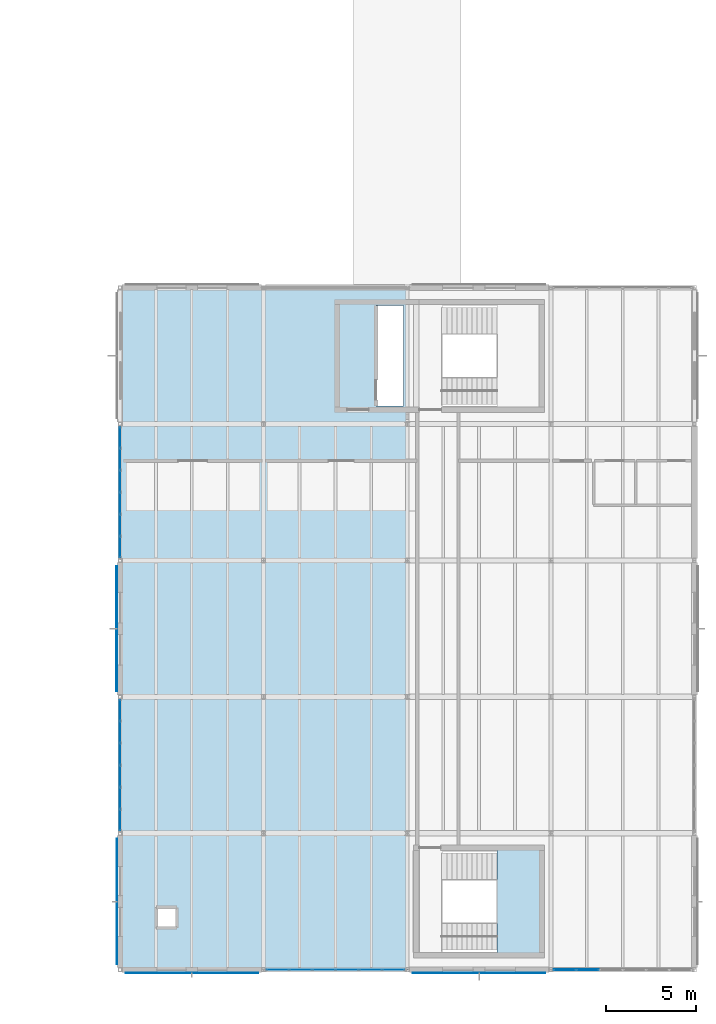
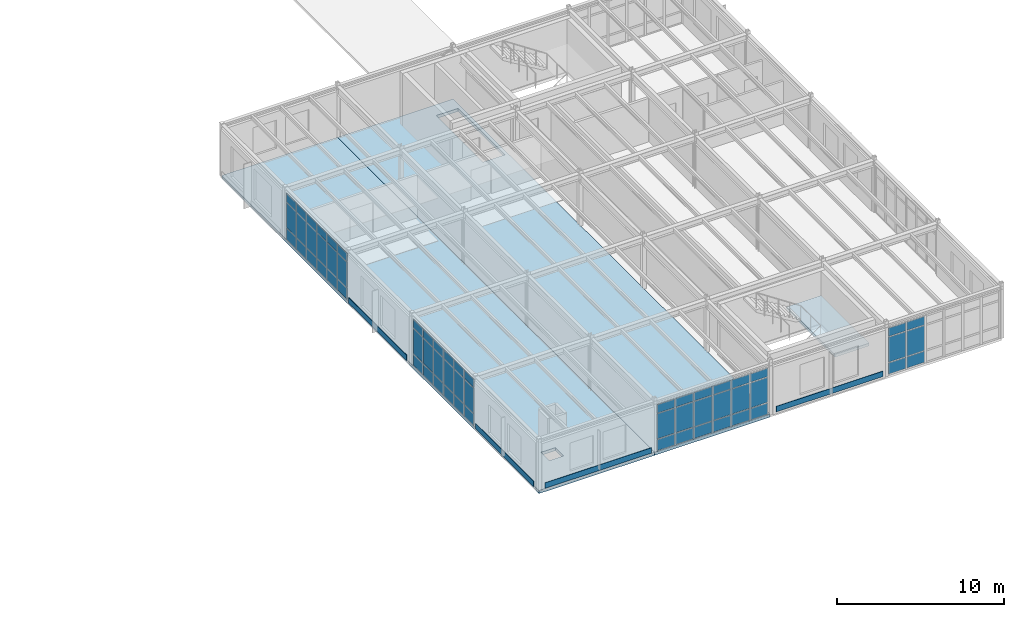
# One storey, part 75 of 114: 64 plates, 3 slabs, 5 elements without a shape of their own.
"""IFC4 building model written with IfcOpenShell, lengths in metres."""

from ifc_helpers import new_model, si_unit, direction, frame, origin, origin_2d, place, context, subcontext, project, spatial, polyline, rectangle, outline, extrude, material, layer, layer_set, type_object, element, aggregate, save


model = new_model("IFC4")

# Units and contexts
model_context = context("Model", 3, precision=1e-05, world=origin(), true_north=direction((0.0, 1.0)))
body_context = subcontext(model_context, "Body", "Model", "MODEL_VIEW")
ifc_project = project(units=[si_unit("LENGTHUNIT", "METRE"), si_unit("AREAUNIT", "SQUARE_METRE"), si_unit("VOLUMEUNIT", "CUBIC_METRE"), si_unit("PLANEANGLEUNIT", "RADIAN"), si_unit("MASSUNIT", "GRAM", prefix="KILO")], contexts=[model_context])

# Site, building, storey
site_placement = place(None, origin())
site = spatial("IfcSite", under=ifc_project, at=site_placement, CompositionType="ELEMENT")
building_placement = place(site_placement, origin())
building = spatial("IfcBuilding", under=site, at=building_placement, Name="Montecoro Central Library", CompositionType="ELEMENT")
storey_placement = place(building_placement, frame((0.0, 0.0, 13.260009765625)))
storey = spatial("IfcBuildingStorey", under=building, at=storey_placement, Name="L03", CompositionType="ELEMENT", Elevation=13.260009765625)

# Curtain wall, plates
ifc_material_1 = material(Name="Bronze-anodised aluminium and low-E glazing", Category="aluminium")
ifc_layer_1 = layer(ifc_material_1, 0.159912109375)
ifc_layer_set_1 = layer_set([ifc_layer_1], Name="Bronze-anodised aluminium and low-E glazing")
curtain_wall_type_1 = type_object("IfcCurtainWallType", Name="CWT-068", PredefinedType="NOTDEFINED", material=ifc_layer_set_1)
curtain_wall_1_placement = place(storey_placement, origin())
curtain_wall_1 = element("IfcCurtainWall", 1, at=curtain_wall_1_placement, inside=storey, type_object=curtain_wall_type_1, Name="V6-L03-CW-S1", PredefinedType="NOTDEFINED")
ifc_material_2 = material(Name="Laminated low-E double glazing", Category="glass")
ifc_layer_2 = layer(ifc_material_2, 0.02587890625)
ifc_layer_set_2 = layer_set([ifc_layer_2], Name="Laminated low-E double glazing")
plate_type_1 = type_object("IfcPlateType", Name="CWP-GLZ-01", PredefinedType="CURTAIN_PANEL", material=ifc_layer_set_2)
plate_1_placement = place(storey_placement, frame((149.77587890625, 5.0, 0.06005859375), z_axis=(0.0, 0.0, 1.0), x_axis=(1.0, 0.0, 0.0)))
plate_1 = element("IfcPlate", 2, at=plate_1_placement, type_object=plate_type_1, Name="CW-068 panel 1.1", PredefinedType="CURTAIN_PANEL", context=body_context, shape_type="SweptSolid", body=[
    extrude(rectangle(XDim=1.20556640625, YDim=0.02587890625, at=origin_2d()), origin(), (0.0, 0.0, 1.0), 0.81005859375),
])
plate_2_placement = place(storey_placement, frame((149.77587890625, 5.0, 0.93017578125), z_axis=(0.0, 0.0, 1.0), x_axis=(1.0, 0.0, 0.0)))
plate_2 = element("IfcPlate", 3, at=plate_2_placement, type_object=plate_type_1, Name="CW-068 panel 1.2", PredefinedType="CURTAIN_PANEL", context=body_context, shape_type="SweptSolid", body=[
    extrude(rectangle(XDim=1.20556640625, YDim=0.02587890625, at=origin_2d()), origin(), (0.0, 0.0, 1.0), 1.820068359375),
])
plate_3_placement = place(storey_placement, frame((149.77587890625, 5.0, 2.81005859375), z_axis=(0.0, 0.0, 1.0), x_axis=(1.0, 0.0, 0.0)))
plate_3 = element("IfcPlate", 4, at=plate_3_placement, type_object=plate_type_1, Name="CW-068 panel 1.3", PredefinedType="CURTAIN_PANEL", context=body_context, shape_type="SweptSolid", body=[
    extrude(rectangle(XDim=1.20556640625, YDim=0.02587890625, at=origin_2d()), origin(), (0.0, 0.0, 1.0), 0.610107421875),
])
plate_4_placement = place(storey_placement, frame((151.056396484375, 5.0, 0.06005859375), z_axis=(0.0, 0.0, 1.0), x_axis=(1.0, 0.0, 0.0)))
plate_4 = element("IfcPlate", 5, at=plate_4_placement, type_object=plate_type_1, Name="CW-068 panel 2.1", PredefinedType="CURTAIN_PANEL", context=body_context, shape_type="SweptSolid", body=[
    extrude(rectangle(XDim=1.235595703125, YDim=0.02587890625, at=origin_2d()), origin(), (0.0, 0.0, 1.0), 0.81005859375),
])
plate_5_placement = place(storey_placement, frame((151.056396484375, 5.0, 0.93017578125), z_axis=(0.0, 0.0, 1.0), x_axis=(1.0, 0.0, 0.0)))
plate_5 = element("IfcPlate", 6, at=plate_5_placement, type_object=plate_type_1, Name="CW-068 panel 2.2", PredefinedType="CURTAIN_PANEL", context=body_context, shape_type="SweptSolid", body=[
    extrude(rectangle(XDim=1.235595703125, YDim=0.02587890625, at=origin_2d()), origin(), (0.0, 0.0, 1.0), 1.820068359375),
])
plate_6_placement = place(storey_placement, frame((151.056396484375, 5.0, 2.81005859375), z_axis=(0.0, 0.0, 1.0), x_axis=(1.0, 0.0, 0.0)))
plate_6 = element("IfcPlate", 7, at=plate_6_placement, type_object=plate_type_1, Name="CW-068 panel 2.3", PredefinedType="CURTAIN_PANEL", context=body_context, shape_type="SweptSolid", body=[
    extrude(rectangle(XDim=1.235595703125, YDim=0.02587890625, at=origin_2d()), origin(), (0.0, 0.0, 1.0), 0.610107421875),
])
plate_7_placement = place(storey_placement, frame((152.35205078125, 5.0, 0.06005859375), z_axis=(0.0, 0.0, 1.0), x_axis=(1.0, 0.0, 0.0)))
plate_7 = element("IfcPlate", 8, at=plate_7_placement, type_object=plate_type_1, Name="CW-068 panel 3.1", PredefinedType="CURTAIN_PANEL", context=body_context, shape_type="SweptSolid", body=[
    extrude(rectangle(XDim=1.235595703125, YDim=0.02587890625, at=origin_2d()), origin(), (0.0, 0.0, 1.0), 0.81005859375),
])
plate_8_placement = place(storey_placement, frame((152.35205078125, 5.0, 0.93017578125), z_axis=(0.0, 0.0, 1.0), x_axis=(1.0, 0.0, 0.0)))
plate_8 = element("IfcPlate", 9, at=plate_8_placement, type_object=plate_type_1, Name="CW-068 panel 3.2", PredefinedType="CURTAIN_PANEL", context=body_context, shape_type="SweptSolid", body=[
    extrude(rectangle(XDim=1.235595703125, YDim=0.02587890625, at=origin_2d()), origin(), (0.0, 0.0, 1.0), 1.820068359375),
])
plate_9_placement = place(storey_placement, frame((152.35205078125, 5.0, 2.81005859375), z_axis=(0.0, 0.0, 1.0), x_axis=(1.0, 0.0, 0.0)))
plate_9 = element("IfcPlate", 10, at=plate_9_placement, type_object=plate_type_1, Name="CW-068 panel 3.3", PredefinedType="CURTAIN_PANEL", context=body_context, shape_type="SweptSolid", body=[
    extrude(rectangle(XDim=1.235595703125, YDim=0.02587890625, at=origin_2d()), origin(), (0.0, 0.0, 1.0), 0.610107421875),
])
plate_10_placement = place(storey_placement, frame((153.64794921875, 5.0, 0.06005859375), z_axis=(0.0, 0.0, 1.0), x_axis=(1.0, 0.0, 0.0)))
plate_10 = element("IfcPlate", 11, at=plate_10_placement, type_object=plate_type_1, Name="CW-068 panel 4.1", PredefinedType="CURTAIN_PANEL", context=body_context, shape_type="SweptSolid", body=[
    extrude(rectangle(XDim=1.235595703125, YDim=0.02587890625, at=origin_2d()), origin(), (0.0, 0.0, 1.0), 0.81005859375),
])
plate_11_placement = place(storey_placement, frame((153.64794921875, 5.0, 0.93017578125), z_axis=(0.0, 0.0, 1.0), x_axis=(1.0, 0.0, 0.0)))
plate_11 = element("IfcPlate", 12, at=plate_11_placement, type_object=plate_type_1, Name="CW-068 panel 4.2", PredefinedType="CURTAIN_PANEL", context=body_context, shape_type="SweptSolid", body=[
    extrude(rectangle(XDim=1.235595703125, YDim=0.02587890625, at=origin_2d()), origin(), (0.0, 0.0, 1.0), 1.820068359375),
])
plate_12_placement = place(storey_placement, frame((153.64794921875, 5.0, 2.81005859375), z_axis=(0.0, 0.0, 1.0), x_axis=(1.0, 0.0, 0.0)))
plate_12 = element("IfcPlate", 13, at=plate_12_placement, type_object=plate_type_1, Name="CW-068 panel 4.3", PredefinedType="CURTAIN_PANEL", context=body_context, shape_type="SweptSolid", body=[
    extrude(rectangle(XDim=1.235595703125, YDim=0.02587890625, at=origin_2d()), origin(), (0.0, 0.0, 1.0), 0.610107421875),
])
plate_13_placement = place(storey_placement, frame((154.943603515625, 5.0, 0.06005859375), z_axis=(0.0, 0.0, 1.0), x_axis=(1.0, 0.0, 0.0)))
plate_13 = element("IfcPlate", 14, at=plate_13_placement, type_object=plate_type_1, Name="CW-068 panel 5.1", PredefinedType="CURTAIN_PANEL", context=body_context, shape_type="SweptSolid", body=[
    extrude(rectangle(XDim=1.235595703125, YDim=0.02587890625, at=origin_2d()), origin(), (0.0, 0.0, 1.0), 0.81005859375),
])
plate_14_placement = place(storey_placement, frame((154.943603515625, 5.0, 0.93017578125), z_axis=(0.0, 0.0, 1.0), x_axis=(1.0, 0.0, 0.0)))
plate_14 = element("IfcPlate", 15, at=plate_14_placement, type_object=plate_type_1, Name="CW-068 panel 5.2", PredefinedType="CURTAIN_PANEL", context=body_context, shape_type="SweptSolid", body=[
    extrude(rectangle(XDim=1.235595703125, YDim=0.02587890625, at=origin_2d()), origin(), (0.0, 0.0, 1.0), 1.820068359375),
])
plate_15_placement = place(storey_placement, frame((154.943603515625, 5.0, 2.81005859375), z_axis=(0.0, 0.0, 1.0), x_axis=(1.0, 0.0, 0.0)))
plate_15 = element("IfcPlate", 16, at=plate_15_placement, type_object=plate_type_1, Name="CW-068 panel 5.3", PredefinedType="CURTAIN_PANEL", context=body_context, shape_type="SweptSolid", body=[
    extrude(rectangle(XDim=1.235595703125, YDim=0.02587890625, at=origin_2d()), origin(), (0.0, 0.0, 1.0), 0.610107421875),
])
plate_16_placement = place(storey_placement, frame((156.22412109375, 5.0, 0.06005859375), z_axis=(0.0, 0.0, 1.0), x_axis=(1.0, 0.0, 0.0)))
plate_16 = element("IfcPlate", 17, at=plate_16_placement, type_object=plate_type_1, Name="CW-068 panel 6.1", PredefinedType="CURTAIN_PANEL", context=body_context, shape_type="SweptSolid", body=[
    extrude(rectangle(XDim=1.20556640625, YDim=0.02587890625, at=origin_2d()), origin(), (0.0, 0.0, 1.0), 0.81005859375),
])
plate_17_placement = place(storey_placement, frame((156.22412109375, 5.0, 0.93017578125), z_axis=(0.0, 0.0, 1.0), x_axis=(1.0, 0.0, 0.0)))
plate_17 = element("IfcPlate", 18, at=plate_17_placement, type_object=plate_type_1, Name="CW-068 panel 6.2", PredefinedType="CURTAIN_PANEL", context=body_context, shape_type="SweptSolid", body=[
    extrude(rectangle(XDim=1.20556640625, YDim=0.02587890625, at=origin_2d()), origin(), (0.0, 0.0, 1.0), 1.820068359375),
])
plate_18_placement = place(storey_placement, frame((156.22412109375, 5.0, 2.81005859375), z_axis=(0.0, 0.0, 1.0), x_axis=(1.0, 0.0, 0.0)))
plate_18 = element("IfcPlate", 19, at=plate_18_placement, type_object=plate_type_1, Name="CW-068 panel 6.3", PredefinedType="CURTAIN_PANEL", context=body_context, shape_type="SweptSolid", body=[
    extrude(rectangle(XDim=1.20556640625, YDim=0.02587890625, at=origin_2d()), origin(), (0.0, 0.0, 1.0), 0.610107421875),
])
aggregate(curtain_wall_1, [plate_1, plate_2, plate_3, plate_4, plate_5, plate_6, plate_7, plate_8, plate_9, plate_10, plate_11, plate_12, plate_13, plate_14, plate_15, plate_16, plate_17, plate_18])

ifc_layer_3 = layer(ifc_material_1, 0.159912109375)
ifc_layer_set_3 = layer_set([ifc_layer_3], Name="Bronze-anodised aluminium and low-E glazing")
curtain_wall_type_2 = type_object("IfcCurtainWallType", Name="CWT-071", PredefinedType="NOTDEFINED", material=ifc_layer_set_3)
curtain_wall_2_placement = place(storey_placement, origin())
curtain_wall_2 = element("IfcCurtainWall", 20, at=curtain_wall_2_placement, inside=storey, type_object=curtain_wall_type_2, Name="V6-L03-CW-W1", PredefinedType="NOTDEFINED")
plate_19_placement = place(storey_placement, frame((141.0, 19.45751953125, 0.06005859375), z_axis=(0.0, 0.0, 1.0), x_axis=(0.0, -1.0, 0.0)))
plate_19 = element("IfcPlate", 21, at=plate_19_placement, type_object=plate_type_1, Name="CW-071 panel 1.1", PredefinedType="CURTAIN_PANEL", context=body_context, shape_type="SweptSolid", body=[
    extrude(rectangle(XDim=1.138916015625, YDim=0.02587890625, at=origin_2d()), origin(), (0.0, 0.0, 1.0), 0.81005859375),
])
plate_20_placement = place(storey_placement, frame((141.0, 19.45751953125, 0.93017578125), z_axis=(0.0, 0.0, 1.0), x_axis=(0.0, -1.0, 0.0)))
plate_20 = element("IfcPlate", 22, at=plate_20_placement, type_object=plate_type_1, Name="CW-071 panel 1.2", PredefinedType="CURTAIN_PANEL", context=body_context, shape_type="SweptSolid", body=[
    extrude(rectangle(XDim=1.138916015625, YDim=0.02587890625, at=origin_2d()), origin(), (0.0, 0.0, 1.0), 1.820068359375),
])
plate_21_placement = place(storey_placement, frame((141.0, 19.45751953125, 2.81005859375), z_axis=(0.0, 0.0, 1.0), x_axis=(0.0, -1.0, 0.0)))
plate_21 = element("IfcPlate", 23, at=plate_21_placement, type_object=plate_type_1, Name="CW-071 panel 1.3", PredefinedType="CURTAIN_PANEL", context=body_context, shape_type="SweptSolid", body=[
    extrude(rectangle(XDim=1.138916015625, YDim=0.02587890625, at=origin_2d()), origin(), (0.0, 0.0, 1.0), 0.610107421875),
])
plate_22_placement = place(storey_placement, frame((141.0, 18.243408203125, 0.06005859375), z_axis=(0.0, 0.0, 1.0), x_axis=(0.0, -1.0, 0.0)))
plate_22 = element("IfcPlate", 24, at=plate_22_placement, type_object=plate_type_1, Name="CW-071 panel 2.1", PredefinedType="CURTAIN_PANEL", context=body_context, shape_type="SweptSolid", body=[
    extrude(rectangle(XDim=1.1689453125, YDim=0.02587890625, at=origin_2d()), origin(), (0.0, 0.0, 1.0), 0.81005859375),
])
plate_23_placement = place(storey_placement, frame((141.0, 18.243408203125, 0.93017578125), z_axis=(0.0, 0.0, 1.0), x_axis=(0.0, -1.0, 0.0)))
plate_23 = element("IfcPlate", 25, at=plate_23_placement, type_object=plate_type_1, Name="CW-071 panel 2.2", PredefinedType="CURTAIN_PANEL", context=body_context, shape_type="SweptSolid", body=[
    extrude(rectangle(XDim=1.1689453125, YDim=0.02587890625, at=origin_2d()), origin(), (0.0, 0.0, 1.0), 1.820068359375),
])
plate_24_placement = place(storey_placement, frame((141.0, 18.243408203125, 2.81005859375), z_axis=(0.0, 0.0, 1.0), x_axis=(0.0, -1.0, 0.0)))
plate_24 = element("IfcPlate", 26, at=plate_24_placement, type_object=plate_type_1, Name="CW-071 panel 2.3", PredefinedType="CURTAIN_PANEL", context=body_context, shape_type="SweptSolid", body=[
    extrude(rectangle(XDim=1.1689453125, YDim=0.02587890625, at=origin_2d()), origin(), (0.0, 0.0, 1.0), 0.610107421875),
])
plate_25_placement = place(storey_placement, frame((141.0, 17.014404296875, 0.06005859375), z_axis=(0.0, 0.0, 1.0), x_axis=(0.0, -1.0, 0.0)))
plate_25 = element("IfcPlate", 27, at=plate_25_placement, type_object=plate_type_1, Name="CW-071 panel 3.1", PredefinedType="CURTAIN_PANEL", context=body_context, shape_type="SweptSolid", body=[
    extrude(rectangle(XDim=1.1689453125, YDim=0.02587890625, at=origin_2d()), origin(), (0.0, 0.0, 1.0), 0.81005859375),
])
plate_26_placement = place(storey_placement, frame((141.0, 17.014404296875, 0.93017578125), z_axis=(0.0, 0.0, 1.0), x_axis=(0.0, -1.0, 0.0)))
plate_26 = element("IfcPlate", 28, at=plate_26_placement, type_object=plate_type_1, Name="CW-071 panel 3.2", PredefinedType="CURTAIN_PANEL", context=body_context, shape_type="SweptSolid", body=[
    extrude(rectangle(XDim=1.1689453125, YDim=0.02587890625, at=origin_2d()), origin(), (0.0, 0.0, 1.0), 1.820068359375),
])
plate_27_placement = place(storey_placement, frame((141.0, 17.014404296875, 2.81005859375), z_axis=(0.0, 0.0, 1.0), x_axis=(0.0, -1.0, 0.0)))
plate_27 = element("IfcPlate", 29, at=plate_27_placement, type_object=plate_type_1, Name="CW-071 panel 3.3", PredefinedType="CURTAIN_PANEL", context=body_context, shape_type="SweptSolid", body=[
    extrude(rectangle(XDim=1.1689453125, YDim=0.02587890625, at=origin_2d()), origin(), (0.0, 0.0, 1.0), 0.610107421875),
])
plate_28_placement = place(storey_placement, frame((141.0, 15.785400390625, 0.06005859375), z_axis=(0.0, 0.0, 1.0), x_axis=(0.0, -1.0, 0.0)))
plate_28 = element("IfcPlate", 30, at=plate_28_placement, type_object=plate_type_1, Name="CW-071 panel 4.1", PredefinedType="CURTAIN_PANEL", context=body_context, shape_type="SweptSolid", body=[
    extrude(rectangle(XDim=1.1689453125, YDim=0.02587890625, at=origin_2d()), origin(), (0.0, 0.0, 1.0), 0.81005859375),
])
plate_29_placement = place(storey_placement, frame((141.0, 15.785400390625, 0.93017578125), z_axis=(0.0, 0.0, 1.0), x_axis=(0.0, -1.0, 0.0)))
plate_29 = element("IfcPlate", 31, at=plate_29_placement, type_object=plate_type_1, Name="CW-071 panel 4.2", PredefinedType="CURTAIN_PANEL", context=body_context, shape_type="SweptSolid", body=[
    extrude(rectangle(XDim=1.1689453125, YDim=0.02587890625, at=origin_2d()), origin(), (0.0, 0.0, 1.0), 1.820068359375),
])
plate_30_placement = place(storey_placement, frame((141.0, 15.785400390625, 2.81005859375), z_axis=(0.0, 0.0, 1.0), x_axis=(0.0, -1.0, 0.0)))
plate_30 = element("IfcPlate", 32, at=plate_30_placement, type_object=plate_type_1, Name="CW-071 panel 4.3", PredefinedType="CURTAIN_PANEL", context=body_context, shape_type="SweptSolid", body=[
    extrude(rectangle(XDim=1.1689453125, YDim=0.02587890625, at=origin_2d()), origin(), (0.0, 0.0, 1.0), 0.610107421875),
])
plate_31_placement = place(storey_placement, frame((141.0, 14.556396484375, 0.06005859375), z_axis=(0.0, 0.0, 1.0), x_axis=(0.0, -1.0, 0.0)))
plate_31 = element("IfcPlate", 33, at=plate_31_placement, type_object=plate_type_1, Name="CW-071 panel 5.1", PredefinedType="CURTAIN_PANEL", context=body_context, shape_type="SweptSolid", body=[
    extrude(rectangle(XDim=1.1689453125, YDim=0.02587890625, at=origin_2d()), origin(), (0.0, 0.0, 1.0), 0.81005859375),
])
plate_32_placement = place(storey_placement, frame((141.0, 14.556396484375, 0.93017578125), z_axis=(0.0, 0.0, 1.0), x_axis=(0.0, -1.0, 0.0)))
plate_32 = element("IfcPlate", 34, at=plate_32_placement, type_object=plate_type_1, Name="CW-071 panel 5.2", PredefinedType="CURTAIN_PANEL", context=body_context, shape_type="SweptSolid", body=[
    extrude(rectangle(XDim=1.1689453125, YDim=0.02587890625, at=origin_2d()), origin(), (0.0, 0.0, 1.0), 1.820068359375),
])
plate_33_placement = place(storey_placement, frame((141.0, 14.556396484375, 2.81005859375), z_axis=(0.0, 0.0, 1.0), x_axis=(0.0, -1.0, 0.0)))
plate_33 = element("IfcPlate", 35, at=plate_33_placement, type_object=plate_type_1, Name="CW-071 panel 5.3", PredefinedType="CURTAIN_PANEL", context=body_context, shape_type="SweptSolid", body=[
    extrude(rectangle(XDim=1.1689453125, YDim=0.02587890625, at=origin_2d()), origin(), (0.0, 0.0, 1.0), 0.610107421875),
])
plate_34_placement = place(storey_placement, frame((141.0, 13.342529296875, 0.06005859375), z_axis=(0.0, 0.0, 1.0), x_axis=(0.0, -1.0, 0.0)))
plate_34 = element("IfcPlate", 36, at=plate_34_placement, type_object=plate_type_1, Name="CW-071 panel 6.1", PredefinedType="CURTAIN_PANEL", context=body_context, shape_type="SweptSolid", body=[
    extrude(rectangle(XDim=1.138916015625, YDim=0.02587890625, at=origin_2d()), origin(), (0.0, 0.0, 1.0), 0.81005859375),
])
plate_35_placement = place(storey_placement, frame((141.0, 13.342529296875, 0.93017578125), z_axis=(0.0, 0.0, 1.0), x_axis=(0.0, -1.0, 0.0)))
plate_35 = element("IfcPlate", 37, at=plate_35_placement, type_object=plate_type_1, Name="CW-071 panel 6.2", PredefinedType="CURTAIN_PANEL", context=body_context, shape_type="SweptSolid", body=[
    extrude(rectangle(XDim=1.138916015625, YDim=0.02587890625, at=origin_2d()), origin(), (0.0, 0.0, 1.0), 1.820068359375),
])
plate_36_placement = place(storey_placement, frame((141.0, 13.342529296875, 2.81005859375), z_axis=(0.0, 0.0, 1.0), x_axis=(0.0, -1.0, 0.0)))
plate_36 = element("IfcPlate", 38, at=plate_36_placement, type_object=plate_type_1, Name="CW-071 panel 6.3", PredefinedType="CURTAIN_PANEL", context=body_context, shape_type="SweptSolid", body=[
    extrude(rectangle(XDim=1.138916015625, YDim=0.02587890625, at=origin_2d()), origin(), (0.0, 0.0, 1.0), 0.610107421875),
])
aggregate(curtain_wall_2, [plate_19, plate_20, plate_21, plate_22, plate_23, plate_24, plate_25, plate_26, plate_27, plate_28, plate_29, plate_30, plate_31, plate_32, plate_33, plate_34, plate_35, plate_36])

curtain_wall_3_placement = place(storey_placement, origin())
curtain_wall_3 = element("IfcCurtainWall", 39, at=curtain_wall_3_placement, inside=storey, type_object=curtain_wall_type_1, Name="V6-L03-CW-S3", PredefinedType="NOTDEFINED")
ifc_layer_4 = layer(ifc_material_2, 0.033935546875)
ifc_layer_set_4 = layer_set([ifc_layer_4], Name="Laminated low-E double glazing")
plate_type_2 = type_object("IfcPlateType", Name="CWP-GLZ-03", PredefinedType="CURTAIN_PANEL", material=ifc_layer_set_4)
plate_37_placement = place(storey_placement, frame((165.77587890625, 5.0, 0.06005859375), z_axis=(0.0, 0.0, 1.0), x_axis=(1.0, 0.0, 0.0)))
plate_37 = element("IfcPlate", 40, at=plate_37_placement, type_object=plate_type_2, Name="CW-068 panel 1.1", PredefinedType="CURTAIN_PANEL", context=body_context, shape_type="SweptSolid", body=[
    extrude(rectangle(XDim=1.20556640625, YDim=0.033935546875, at=origin_2d()), origin(), (0.0, 0.0, 1.0), 0.81005859375),
])
plate_38_placement = place(storey_placement, frame((165.77587890625, 5.0, 0.93017578125), z_axis=(0.0, 0.0, 1.0), x_axis=(1.0, 0.0, 0.0)))
plate_38 = element("IfcPlate", 41, at=plate_38_placement, type_object=plate_type_2, Name="CW-068 panel 1.2", PredefinedType="CURTAIN_PANEL", context=body_context, shape_type="SweptSolid", body=[
    extrude(rectangle(XDim=1.20556640625, YDim=0.033935546875, at=origin_2d()), origin(), (0.0, 0.0, 1.0), 1.820068359375),
])
plate_39_placement = place(storey_placement, frame((165.77587890625, 5.0, 2.81005859375), z_axis=(0.0, 0.0, 1.0), x_axis=(1.0, 0.0, 0.0)))
plate_39 = element("IfcPlate", 42, at=plate_39_placement, type_object=plate_type_2, Name="CW-068 panel 1.3", PredefinedType="CURTAIN_PANEL", context=body_context, shape_type="SweptSolid", body=[
    extrude(rectangle(XDim=1.20556640625, YDim=0.033935546875, at=origin_2d()), origin(), (0.0, 0.0, 1.0), 0.610107421875),
])
plate_40_placement = place(storey_placement, frame((167.056396484375, 5.0, 0.06005859375), z_axis=(0.0, 0.0, 1.0), x_axis=(1.0, 0.0, 0.0)))
plate_40 = element("IfcPlate", 43, at=plate_40_placement, type_object=plate_type_2, Name="CW-068 panel 2.1", PredefinedType="CURTAIN_PANEL", context=body_context, shape_type="SweptSolid", body=[
    extrude(rectangle(XDim=1.235595703125, YDim=0.033935546875, at=origin_2d()), origin(), (0.0, 0.0, 1.0), 0.81005859375),
])
plate_41_placement = place(storey_placement, frame((167.056396484375, 5.0, 0.93017578125), z_axis=(0.0, 0.0, 1.0), x_axis=(1.0, 0.0, 0.0)))
plate_41 = element("IfcPlate", 44, at=plate_41_placement, type_object=plate_type_2, Name="CW-068 panel 2.2", PredefinedType="CURTAIN_PANEL", context=body_context, shape_type="SweptSolid", body=[
    extrude(rectangle(XDim=1.235595703125, YDim=0.033935546875, at=origin_2d()), origin(), (0.0, 0.0, 1.0), 1.820068359375),
])
plate_42_placement = place(storey_placement, frame((167.056396484375, 5.0, 2.81005859375), z_axis=(0.0, 0.0, 1.0), x_axis=(1.0, 0.0, 0.0)))
plate_42 = element("IfcPlate", 45, at=plate_42_placement, type_object=plate_type_2, Name="CW-068 panel 2.3", PredefinedType="CURTAIN_PANEL", context=body_context, shape_type="SweptSolid", body=[
    extrude(rectangle(XDim=1.235595703125, YDim=0.033935546875, at=origin_2d()), origin(), (0.0, 0.0, 1.0), 0.610107421875),
])
aggregate(curtain_wall_3, [plate_37, plate_38, plate_39, plate_40, plate_41, plate_42])

curtain_wall_4_placement = place(storey_placement, origin())
curtain_wall_4 = element("IfcCurtainWall", 46, at=curtain_wall_4_placement, inside=storey, type_object=curtain_wall_type_2, Name="V6-L03-CW-W3", PredefinedType="NOTDEFINED")
plate_43_placement = place(storey_placement, frame((141.0, 34.657470703125, 0.06005859375), z_axis=(0.0, 0.0, 1.0), x_axis=(0.0, -1.0, 0.0)))
plate_43 = element("IfcPlate", 47, at=plate_43_placement, type_object=plate_type_2, Name="CW-071 panel 1.1", PredefinedType="CURTAIN_PANEL", context=body_context, shape_type="SweptSolid", body=[
    extrude(rectangle(XDim=1.138916015625, YDim=0.033935546875, at=origin_2d()), origin(), (0.0, 0.0, 1.0), 0.81005859375),
])
plate_44_placement = place(storey_placement, frame((141.0, 34.657470703125, 0.93017578125), z_axis=(0.0, 0.0, 1.0), x_axis=(0.0, -1.0, 0.0)))
plate_44 = element("IfcPlate", 48, at=plate_44_placement, type_object=plate_type_2, Name="CW-071 panel 1.2", PredefinedType="CURTAIN_PANEL", context=body_context, shape_type="SweptSolid", body=[
    extrude(rectangle(XDim=1.138916015625, YDim=0.033935546875, at=origin_2d()), origin(), (0.0, 0.0, 1.0), 1.820068359375),
])
plate_45_placement = place(storey_placement, frame((141.0, 34.657470703125, 2.81005859375), z_axis=(0.0, 0.0, 1.0), x_axis=(0.0, -1.0, 0.0)))
plate_45 = element("IfcPlate", 49, at=plate_45_placement, type_object=plate_type_2, Name="CW-071 panel 1.3", PredefinedType="CURTAIN_PANEL", context=body_context, shape_type="SweptSolid", body=[
    extrude(rectangle(XDim=1.138916015625, YDim=0.033935546875, at=origin_2d()), origin(), (0.0, 0.0, 1.0), 0.610107421875),
])
plate_46_placement = place(storey_placement, frame((141.0, 33.443603515625, 0.06005859375), z_axis=(0.0, 0.0, 1.0), x_axis=(0.0, -1.0, 0.0)))
plate_46 = element("IfcPlate", 50, at=plate_46_placement, type_object=plate_type_2, Name="CW-071 panel 2.1", PredefinedType="CURTAIN_PANEL", context=body_context, shape_type="SweptSolid", body=[
    extrude(rectangle(XDim=1.1689453125, YDim=0.033935546875, at=origin_2d()), origin(), (0.0, 0.0, 1.0), 0.81005859375),
])
plate_47_placement = place(storey_placement, frame((141.0, 33.443603515625, 0.93017578125), z_axis=(0.0, 0.0, 1.0), x_axis=(0.0, -1.0, 0.0)))
plate_47 = element("IfcPlate", 51, at=plate_47_placement, type_object=plate_type_2, Name="CW-071 panel 2.2", PredefinedType="CURTAIN_PANEL", context=body_context, shape_type="SweptSolid", body=[
    extrude(rectangle(XDim=1.1689453125, YDim=0.033935546875, at=origin_2d()), origin(), (0.0, 0.0, 1.0), 1.820068359375),
])
plate_48_placement = place(storey_placement, frame((141.0, 33.443603515625, 2.81005859375), z_axis=(0.0, 0.0, 1.0), x_axis=(0.0, -1.0, 0.0)))
plate_48 = element("IfcPlate", 52, at=plate_48_placement, type_object=plate_type_2, Name="CW-071 panel 2.3", PredefinedType="CURTAIN_PANEL", context=body_context, shape_type="SweptSolid", body=[
    extrude(rectangle(XDim=1.1689453125, YDim=0.033935546875, at=origin_2d()), origin(), (0.0, 0.0, 1.0), 0.610107421875),
])
plate_49_placement = place(storey_placement, frame((141.0, 32.214599609375, 0.06005859375), z_axis=(0.0, 0.0, 1.0), x_axis=(0.0, -1.0, 0.0)))
plate_49 = element("IfcPlate", 53, at=plate_49_placement, type_object=plate_type_2, Name="CW-071 panel 3.1", PredefinedType="CURTAIN_PANEL", context=body_context, shape_type="SweptSolid", body=[
    extrude(rectangle(XDim=1.1689453125, YDim=0.033935546875, at=origin_2d()), origin(), (0.0, 0.0, 1.0), 0.81005859375),
])
plate_50_placement = place(storey_placement, frame((141.0, 32.214599609375, 0.93017578125), z_axis=(0.0, 0.0, 1.0), x_axis=(0.0, -1.0, 0.0)))
plate_50 = element("IfcPlate", 54, at=plate_50_placement, type_object=plate_type_2, Name="CW-071 panel 3.2", PredefinedType="CURTAIN_PANEL", context=body_context, shape_type="SweptSolid", body=[
    extrude(rectangle(XDim=1.1689453125, YDim=0.033935546875, at=origin_2d()), origin(), (0.0, 0.0, 1.0), 1.820068359375),
])
plate_51_placement = place(storey_placement, frame((141.0, 32.214599609375, 2.81005859375), z_axis=(0.0, 0.0, 1.0), x_axis=(0.0, -1.0, 0.0)))
plate_51 = element("IfcPlate", 55, at=plate_51_placement, type_object=plate_type_2, Name="CW-071 panel 3.3", PredefinedType="CURTAIN_PANEL", context=body_context, shape_type="SweptSolid", body=[
    extrude(rectangle(XDim=1.1689453125, YDim=0.033935546875, at=origin_2d()), origin(), (0.0, 0.0, 1.0), 0.610107421875),
])
plate_52_placement = place(storey_placement, frame((141.0, 30.985595703125, 0.06005859375), z_axis=(0.0, 0.0, 1.0), x_axis=(0.0, -1.0, 0.0)))
plate_52 = element("IfcPlate", 56, at=plate_52_placement, type_object=plate_type_2, Name="CW-071 panel 4.1", PredefinedType="CURTAIN_PANEL", context=body_context, shape_type="SweptSolid", body=[
    extrude(rectangle(XDim=1.1689453125, YDim=0.033935546875, at=origin_2d()), origin(), (0.0, 0.0, 1.0), 0.81005859375),
])
plate_53_placement = place(storey_placement, frame((141.0, 30.985595703125, 0.93017578125), z_axis=(0.0, 0.0, 1.0), x_axis=(0.0, -1.0, 0.0)))
plate_53 = element("IfcPlate", 57, at=plate_53_placement, type_object=plate_type_2, Name="CW-071 panel 4.2", PredefinedType="CURTAIN_PANEL", context=body_context, shape_type="SweptSolid", body=[
    extrude(rectangle(XDim=1.1689453125, YDim=0.033935546875, at=origin_2d()), origin(), (0.0, 0.0, 1.0), 1.820068359375),
])
plate_54_placement = place(storey_placement, frame((141.0, 30.985595703125, 2.81005859375), z_axis=(0.0, 0.0, 1.0), x_axis=(0.0, -1.0, 0.0)))
plate_54 = element("IfcPlate", 58, at=plate_54_placement, type_object=plate_type_2, Name="CW-071 panel 4.3", PredefinedType="CURTAIN_PANEL", context=body_context, shape_type="SweptSolid", body=[
    extrude(rectangle(XDim=1.1689453125, YDim=0.033935546875, at=origin_2d()), origin(), (0.0, 0.0, 1.0), 0.610107421875),
])
plate_55_placement = place(storey_placement, frame((141.0, 29.756591796875, 0.06005859375), z_axis=(0.0, 0.0, 1.0), x_axis=(0.0, -1.0, 0.0)))
plate_55 = element("IfcPlate", 59, at=plate_55_placement, type_object=plate_type_2, Name="CW-071 panel 5.1", PredefinedType="CURTAIN_PANEL", context=body_context, shape_type="SweptSolid", body=[
    extrude(rectangle(XDim=1.1689453125, YDim=0.033935546875, at=origin_2d()), origin(), (0.0, 0.0, 1.0), 0.81005859375),
])
plate_56_placement = place(storey_placement, frame((141.0, 29.756591796875, 0.93017578125), z_axis=(0.0, 0.0, 1.0), x_axis=(0.0, -1.0, 0.0)))
plate_56 = element("IfcPlate", 60, at=plate_56_placement, type_object=plate_type_2, Name="CW-071 panel 5.2", PredefinedType="CURTAIN_PANEL", context=body_context, shape_type="SweptSolid", body=[
    extrude(rectangle(XDim=1.1689453125, YDim=0.033935546875, at=origin_2d()), origin(), (0.0, 0.0, 1.0), 1.820068359375),
])
plate_57_placement = place(storey_placement, frame((141.0, 29.756591796875, 2.81005859375), z_axis=(0.0, 0.0, 1.0), x_axis=(0.0, -1.0, 0.0)))
plate_57 = element("IfcPlate", 61, at=plate_57_placement, type_object=plate_type_2, Name="CW-071 panel 5.3", PredefinedType="CURTAIN_PANEL", context=body_context, shape_type="SweptSolid", body=[
    extrude(rectangle(XDim=1.1689453125, YDim=0.033935546875, at=origin_2d()), origin(), (0.0, 0.0, 1.0), 0.610107421875),
])
plate_58_placement = place(storey_placement, frame((141.0, 28.54248046875, 0.06005859375), z_axis=(0.0, 0.0, 1.0), x_axis=(0.0, -1.0, 0.0)))
plate_58 = element("IfcPlate", 62, at=plate_58_placement, type_object=plate_type_2, Name="CW-071 panel 6.1", PredefinedType="CURTAIN_PANEL", context=body_context, shape_type="SweptSolid", body=[
    extrude(rectangle(XDim=1.138916015625, YDim=0.033935546875, at=origin_2d()), origin(), (0.0, 0.0, 1.0), 0.81005859375),
])
plate_59_placement = place(storey_placement, frame((141.0, 28.54248046875, 0.93017578125), z_axis=(0.0, 0.0, 1.0), x_axis=(0.0, -1.0, 0.0)))
plate_59 = element("IfcPlate", 63, at=plate_59_placement, type_object=plate_type_2, Name="CW-071 panel 6.2", PredefinedType="CURTAIN_PANEL", context=body_context, shape_type="SweptSolid", body=[
    extrude(rectangle(XDim=1.138916015625, YDim=0.033935546875, at=origin_2d()), origin(), (0.0, 0.0, 1.0), 1.820068359375),
])
plate_60_placement = place(storey_placement, frame((141.0, 28.54248046875, 2.81005859375), z_axis=(0.0, 0.0, 1.0), x_axis=(0.0, -1.0, 0.0)))
plate_60 = element("IfcPlate", 64, at=plate_60_placement, type_object=plate_type_2, Name="CW-071 panel 6.3", PredefinedType="CURTAIN_PANEL", context=body_context, shape_type="SweptSolid", body=[
    extrude(rectangle(XDim=1.138916015625, YDim=0.033935546875, at=origin_2d()), origin(), (0.0, 0.0, 1.0), 0.610107421875),
])
aggregate(curtain_wall_4, [plate_43, plate_44, plate_45, plate_46, plate_47, plate_48, plate_49, plate_50, plate_51, plate_52, plate_53, plate_54, plate_55, plate_56, plate_57, plate_58, plate_59, plate_60])

# Plates
ifc_material_3 = material(Name="Architectural bronze spandrel plate", Category="aluminium")
ifc_layer_5 = layer(ifc_material_3, 0.02197265625)
ifc_layer_set_5 = layer_set([ifc_layer_5], Name="Architectural bronze spandrel plate")
plate_type_3 = type_object("IfcPlateType", Name="PLT-SPN-01", PredefinedType="SHEET", material=ifc_layer_set_5)
plate_61_placement = place(storey_placement, frame((145.0, 4.826416015625, 0.16015625), z_axis=(0.0, 0.0, 1.0), x_axis=(1.0, 0.0, 0.0)))
element("IfcPlate", 65, at=plate_61_placement, inside=storey, type_object=plate_type_3, Name="V6-L03-SPN-S0", PredefinedType="SHEET", context=body_context, shape_type="SweptSolid", body=[
    extrude(rectangle(XDim=7.3740234375, YDim=0.02197265625, at=origin_2d()), origin(), (0.0, 0.0, 1.0), 0.39990234375),
])
plate_62_placement = place(storey_placement, frame((140.826416015625, 8.800048828125, 0.16015625), z_axis=(0.0, 0.0, 1.0), x_axis=(0.0, -1.0, 0.0)))
element("IfcPlate", 66, at=plate_62_placement, inside=storey, type_object=plate_type_3, Name="V6-L03-SPN-W0", PredefinedType="SHEET", context=body_context, shape_type="SweptSolid", body=[
    extrude(rectangle(XDim=6.97412109375, YDim=0.02197265625, at=origin_2d()), origin(), (0.0, 0.0, 1.0), 0.39990234375),
])
ifc_layer_6 = layer(ifc_material_3, 0.035888671875)
ifc_layer_set_6 = layer_set([ifc_layer_6], Name="Architectural bronze spandrel plate")
plate_type_4 = type_object("IfcPlateType", Name="PLT-SPN-03", PredefinedType="SHEET", material=ifc_layer_set_6)
plate_63_placement = place(storey_placement, frame((161.0, 4.819580078125, 0.16015625), z_axis=(0.0, 0.0, 1.0), x_axis=(1.0, 0.0, 0.0)))
element("IfcPlate", 67, at=plate_63_placement, inside=storey, type_object=plate_type_4, Name="V6-L03-SPN-S2", PredefinedType="SHEET", context=body_context, shape_type="SweptSolid", body=[
    extrude(rectangle(XDim=7.3740234375, YDim=0.035888671875, at=origin_2d()), origin(), (0.0, 0.0, 1.0), 0.39990234375),
])
plate_64_placement = place(storey_placement, frame((140.819580078125, 24.0, 0.16015625), z_axis=(0.0, 0.0, 1.0), x_axis=(0.0, -1.0, 0.0)))
element("IfcPlate", 68, at=plate_64_placement, inside=storey, type_object=plate_type_4, Name="V6-L03-SPN-W2", PredefinedType="SHEET", context=body_context, shape_type="SweptSolid", body=[
    extrude(rectangle(XDim=6.97412109375, YDim=0.035888671875, at=origin_2d()), origin(), (0.0, 0.0, 1.0), 0.39990234375),
])

# Slabs
ifc_material_4 = material(Name="Concrete C32/40", Category="concrete")
ifc_layer_7 = layer(ifc_material_4, 0.22509765625)
ifc_layer_set_7 = layer_set([ifc_layer_7], Name="Concrete C32/40")
slab_type_1 = type_object("IfcSlabType", Name="SL-FLR-225", PredefinedType="FLOOR", material=ifc_layer_set_7)
slab_1_placement = place(storey_placement, frame((0.0, 0.0, -0.22509765625)))
element("IfcSlab", 69, at=slab_1_placement, inside=storey, type_object=slab_type_1, Name="V6-L03-SL1", PredefinedType="FLOOR", context=body_context, shape_type="SweptSolid", body=[
    extrude(outline(polyline([(141.0, 5.0), (149.0, 5.0), (149.0, 43.0), (141.0, 43.0), (141.0, 5.0)]), holes=[polyline([(143.10009765625, 8.39990234375), (144.10009765625, 8.39990234375), (144.10009765625, 7.39990234375), (143.10009765625, 7.39990234375), (143.10009765625, 8.39990234375)])]), origin(), (0.0, 0.0, 1.0), 0.22509765625),
])
slab_2_placement = place(storey_placement, frame((0.0, 0.0, -0.22509765625)))
element("IfcSlab", 70, at=slab_2_placement, inside=storey, type_object=slab_type_1, Name="V6-L03-SL2", PredefinedType="FLOOR", context=body_context, shape_type="SweptSolid", body=[
    extrude(outline(polyline([(149.0, 5.0), (157.0, 5.0), (157.0, 43.0), (149.0, 43.0), (149.0, 5.0)]), holes=[polyline([(155.25, 42.0), (156.780029296875, 42.0), (156.780029296875, 36.39990234375), (155.25, 36.39990234375), (155.25, 42.0)])]), origin(), (0.0, 0.0, 1.0), 0.22509765625),
])

# Stair, slab
ifc_material_5 = material(Name="Concrete C35/45", Category="concrete")
stair_type = type_object("IfcStairType", Name="STR-RET-150", PredefinedType="HALF_TURN_STAIR", material=ifc_material_5)
stair_placement = place(storey_placement, origin())
stair = element("IfcStair", 71, at=stair_placement, inside=storey, type_object=stair_type, Name="C10-L03-STR", PredefinedType="HALF_TURN_STAIR")
ifc_layer_8 = layer(ifc_material_5, 0.199951171875)
ifc_layer_set_8 = layer_set([ifc_layer_8], Name="Concrete C35/45")
slab_type_2 = type_object("IfcSlabType", Name="SL-LND-200", PredefinedType="LANDING", material=ifc_layer_set_8)
slab_3_placement = place(storey_placement, frame((0.0, 0.0, 1.840087890625)))
slab_3 = element("IfcSlab", 72, at=slab_3_placement, type_object=slab_type_2, Name="ST-10 landing 1", PredefinedType="LANDING", context=body_context, shape_type="SweptSolid", body=[
    extrude(outline(polyline([(162.0, 5.919921875), (164.3798828125, 5.919921875), (164.3798828125, 11.679931640625), (162.0, 11.679931640625), (162.0, 5.919921875)])), origin(), (0.0, 0.0, 1.0), 0.199951171875),
])
aggregate(stair, [slab_3])

save(model, "model.ifc")
